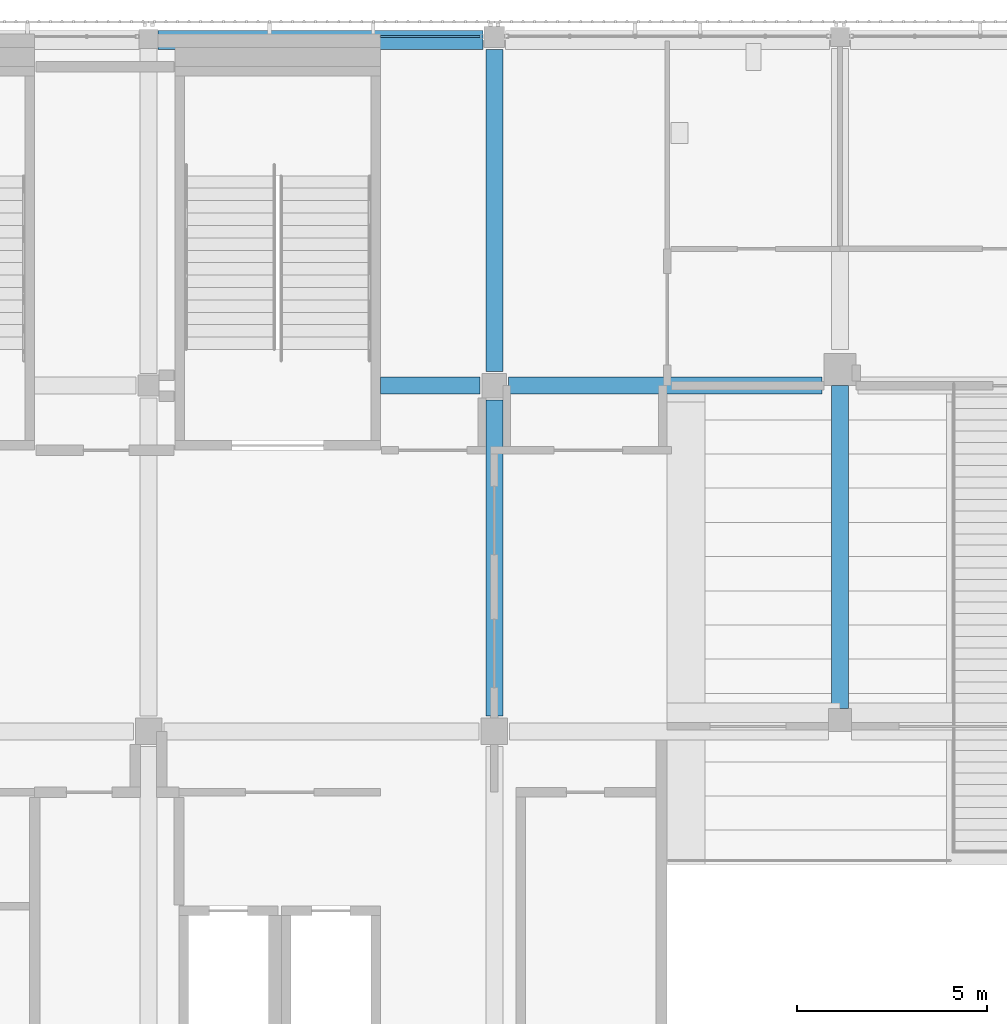
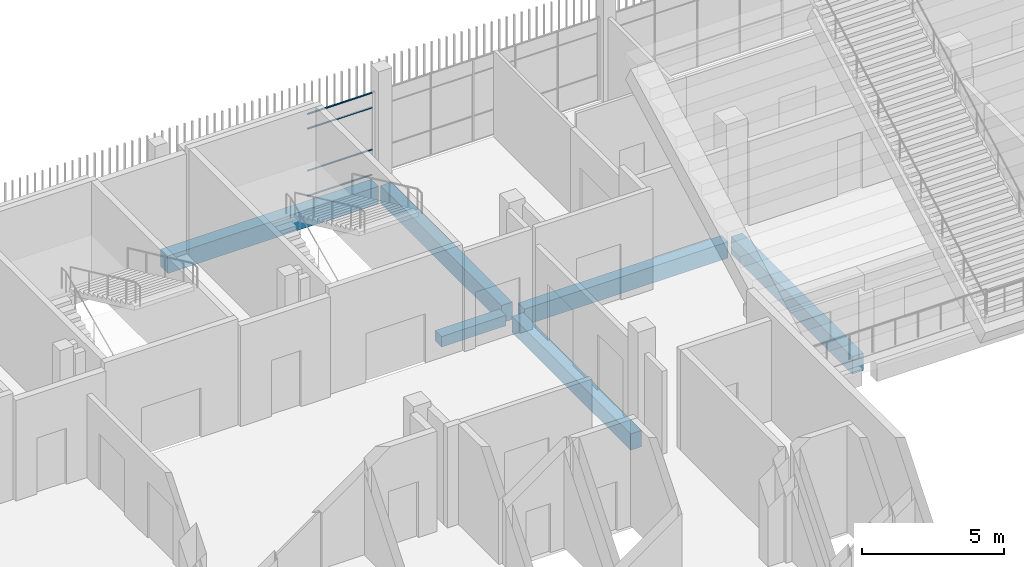
# One storey, part 37 of 139: 6 beams, 4 members, 1 element without a shape of its own.
"""IFC4 building model written with IfcOpenShell, lengths in metres."""

from ifc_helpers import new_model, si_unit, direction, frame, origin, origin_2d, place, context, subcontext, project, spatial, rectangle, hollow_rectangle, extrude, material, layer, layer_set, material_profile, profile_set, type_object, element, aggregate, save


model = new_model("IFC4")

# Units and contexts
model_context = context("Model", 3, precision=1e-05, world=origin(), true_north=direction((0.0, 1.0)))
body_context = subcontext(model_context, "Body", "Model", "MODEL_VIEW")
ifc_project = project(units=[si_unit("LENGTHUNIT", "METRE"), si_unit("AREAUNIT", "SQUARE_METRE"), si_unit("VOLUMEUNIT", "CUBIC_METRE"), si_unit("PLANEANGLEUNIT", "RADIAN"), si_unit("MASSUNIT", "GRAM", prefix="KILO")], contexts=[model_context])

# Site, building, storey
site_placement = place(None, origin())
site = spatial("IfcSite", under=ifc_project, at=site_placement, CompositionType="ELEMENT")
building_placement = place(site_placement, origin())
building = spatial("IfcBuilding", under=site, at=building_placement, Name="Shirokan Park Arena", CompositionType="ELEMENT")
storey_placement = place(building_placement, frame((0.0, 0.0, 15.469970703125)))
storey = spatial("IfcBuildingStorey", under=building, at=storey_placement, Name="L03", CompositionType="ELEMENT", Elevation=15.469970703125)

# Beams
ifc_material_1 = material(Name="Concrete C35", Category="concrete")
ifc_material_profile_1 = material_profile(ifc_material_1, rectangle(XDim=0.449951171875, YDim=0.699951171875, at=origin_2d()), Name="450x700")
ifc_profile_set_1 = profile_set([ifc_material_profile_1], Name="Concrete C35")
beam_type_1 = type_object("IfcBeamType", Name="RC girder 450x700", PredefinedType="BEAM", material=ifc_profile_set_1)
beam_1_placement = place(storey_placement, frame((36.775146484375, 100.10009765625, -0.64990234375), z_axis=(1.0, 0.0, 0.0), x_axis=(0.0, 1.0, 0.0)))
element("IfcBeam", 1, at=beam_1_placement, inside=storey, type_object=beam_type_1, Name="Girder 5M-6M L03", PredefinedType="BEAM", context=body_context, shape_type="SweptSolid", body=[
    extrude(rectangle(XDim=0.449951171875, YDim=0.699951171875, at=origin_2d()), origin(), (0.0, 0.0, 1.0), 8.249755859375),
])
beam_2_placement = place(storey_placement, frame((36.39990234375, 91.400146484375, -0.64990234375), z_axis=(0.0, 1.0, 0.0), x_axis=(-1.0, 0.0, 0.0)))
element("IfcBeam", 2, at=beam_2_placement, inside=storey, type_object=beam_type_1, Name="Girder 5L-5M L03", PredefinedType="BEAM", context=body_context, shape_type="SweptSolid", body=[
    extrude(rectangle(XDim=0.449951171875, YDim=0.699951171875, at=origin_2d()), origin(), (0.0, 0.0, 1.0), 8.32470703125),
])
ifc_material_profile_2 = material_profile(ifc_material_1, rectangle(XDim=0.449951171875, YDim=0.75, at=origin_2d()), Name="450x750")
ifc_profile_set_2 = profile_set([ifc_material_profile_2], Name="Concrete C35")
beam_type_2 = type_object("IfcBeamType", Name="RC girder 450x750", PredefinedType="BEAM", material=ifc_profile_set_2)
beam_3_placement = place(storey_placement, frame((36.39990234375, 100.47509765625, -0.675048828125), z_axis=(0.0, 1.0, 0.0), x_axis=(-1.0, 0.0, 0.0)))
element("IfcBeam", 3, at=beam_3_placement, inside=storey, type_object=beam_type_2, Name="Girder 5M-5N L03", PredefinedType="BEAM", context=body_context, shape_type="SweptSolid", body=[
    extrude(rectangle(XDim=0.449951171875, YDim=0.75, at=origin_2d()), origin(), (0.0, 0.0, 1.0), 8.474853515625),
])
beam_4_placement = place(storey_placement, frame((45.5, 91.60009765625, -0.675048828125), z_axis=(0.0, 1.0, 0.0), x_axis=(-1.0, 0.0, 0.0)))
element("IfcBeam", 4, at=beam_4_placement, inside=storey, type_object=beam_type_2, Name="Girder 6L-6M L03", PredefinedType="BEAM", context=body_context, shape_type="SweptSolid", body=[
    extrude(rectangle(XDim=0.449951171875, YDim=0.75, at=origin_2d()), origin(), (0.0, 0.0, 1.0), 8.499755859375),
])
ifc_material_profile_3 = material_profile(ifc_material_1, rectangle(XDim=0.5, YDim=0.75, at=origin_2d()), Name="500x750")
ifc_profile_set_3 = profile_set([ifc_material_profile_3], Name="Concrete C35")
beam_type_3 = type_object("IfcBeamType", Name="RC girder 500x750", PredefinedType="BEAM", material=ifc_profile_set_3)
beam_5_placement = place(storey_placement, frame((27.550048828125, 109.199951171875, -0.675048828125), z_axis=(1.0, 0.0, 0.0), x_axis=(0.0, 1.0, 0.0)))
element("IfcBeam", 5, at=beam_5_placement, inside=storey, type_object=beam_type_3, Name="Girder 4N-5N L03", PredefinedType="BEAM", context=body_context, shape_type="SweptSolid", body=[
    extrude(rectangle(XDim=0.5, YDim=0.75, at=origin_2d()), origin(), (0.0, 0.0, 1.0), 8.5498046875),
])
ifc_material_profile_4 = material_profile(ifc_material_1, rectangle(XDim=0.449951171875, YDim=0.449951171875, at=origin_2d()), Name="450x450")
ifc_profile_set_4 = profile_set([ifc_material_profile_4], Name="Concrete C35")
beam_type_4 = type_object("IfcBeamType", Name="RC trimmer 450x450", PredefinedType="BEAM", material=ifc_profile_set_4)
beam_6_placement = place(storey_placement, frame((33.39990234375, 100.10009765625, -0.52490234375), z_axis=(1.0, 0.0, 0.0), x_axis=(0.0, 1.0, 0.0)))
element("IfcBeam", 6, at=beam_6_placement, inside=storey, type_object=beam_type_4, Name="Girder 4M-5M L03", PredefinedType="BEAM", context=body_context, shape_type="SweptSolid", body=[
    extrude(rectangle(XDim=0.449951171875, YDim=0.449951171875, at=origin_2d()), origin(), (0.0, 0.0, 1.0), 2.625),
])

# Curtain wall, members
ifc_material_2 = material(Name="Steel and glass curtain wall", Category="steel")
ifc_layer = layer(ifc_material_2, 0.1201171875)
ifc_layer_set = layer_set([ifc_layer], Name="Steel and glass curtain wall 120 mm")
curtain_wall_type = type_object("IfcCurtainWallType", Name="Curtain wall corner block side bay 120", PredefinedType="NOTDEFINED", material=ifc_layer_set)
curtain_wall_placement = place(storey_placement, origin())
curtain_wall = element("IfcCurtainWall", 7, at=curtain_wall_placement, inside=storey, type_object=curtain_wall_type, Name="Curtain wall north bay 13 L03", PredefinedType="NOTDEFINED")
ifc_material_3 = material(Name="Steel S355", Category="steel")
ifc_material_profile_5 = material_profile(ifc_material_3, hollow_rectangle(XDim=0.06005859375, YDim=0.0400390625, WallThickness=0.00390625, at=origin_2d()), Name="RHS 60x40x4")
ifc_profile_set_5 = profile_set([ifc_material_profile_5], Name="Steel S355")
member_type = type_object("IfcMemberType", Name="Transom RHS 60x40x4", PredefinedType="MULLION", material=ifc_profile_set_5)
member_1_placement = place(storey_placement, frame((36.02490234375, 109.2900390625, 0.02001953125), z_axis=(-1.0, 0.0, 0.0), x_axis=(0.0, -1.0, 0.0)))
member_1 = element("IfcMember", 8, at=member_1_placement, type_object=member_type, Name="CW3 transom 1.1", PredefinedType="MULLION", context=body_context, shape_type="SweptSolid", body=[
    extrude(hollow_rectangle(XDim=0.06005859375, YDim=0.0400390625, WallThickness=0.00390625, at=origin_2d()), origin(), (0.0, 0.0, 1.0), 2.625),
])
member_2_placement = place(storey_placement, frame((36.02490234375, 109.2900390625, 1.10009765625), z_axis=(-1.0, 0.0, 0.0), x_axis=(0.0, -1.0, 0.0)))
member_2 = element("IfcMember", 9, at=member_2_placement, type_object=member_type, Name="CW3 transom 1.2", PredefinedType="MULLION", context=body_context, shape_type="SweptSolid", body=[
    extrude(hollow_rectangle(XDim=0.06005859375, YDim=0.0400390625, WallThickness=0.00390625, at=origin_2d()), origin(), (0.0, 0.0, 1.0), 2.625),
])
member_3_placement = place(storey_placement, frame((36.02490234375, 109.2900390625, 2.900146484375), z_axis=(-1.0, 0.0, 0.0), x_axis=(0.0, -1.0, 0.0)))
member_3 = element("IfcMember", 10, at=member_3_placement, type_object=member_type, Name="CW3 transom 1.3", PredefinedType="MULLION", context=body_context, shape_type="SweptSolid", body=[
    extrude(hollow_rectangle(XDim=0.06005859375, YDim=0.0400390625, WallThickness=0.00390625, at=origin_2d()), origin(), (0.0, 0.0, 1.0), 2.625),
])
member_4_placement = place(storey_placement, frame((36.02490234375, 109.2900390625, 3.530029296875), z_axis=(-1.0, 0.0, 0.0), x_axis=(0.0, -1.0, 0.0)))
member_4 = element("IfcMember", 11, at=member_4_placement, type_object=member_type, Name="CW3 transom 1.4", PredefinedType="MULLION", context=body_context, shape_type="SweptSolid", body=[
    extrude(hollow_rectangle(XDim=0.06005859375, YDim=0.0400390625, WallThickness=0.00390625, at=origin_2d()), origin(), (0.0, 0.0, 1.0), 2.625),
])
aggregate(curtain_wall, [member_1, member_2, member_3, member_4])

save(model, "model.ifc")
